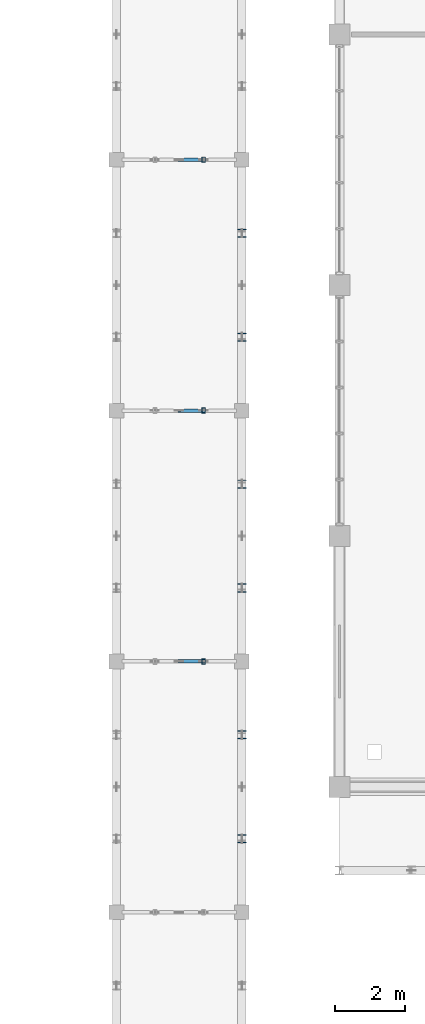
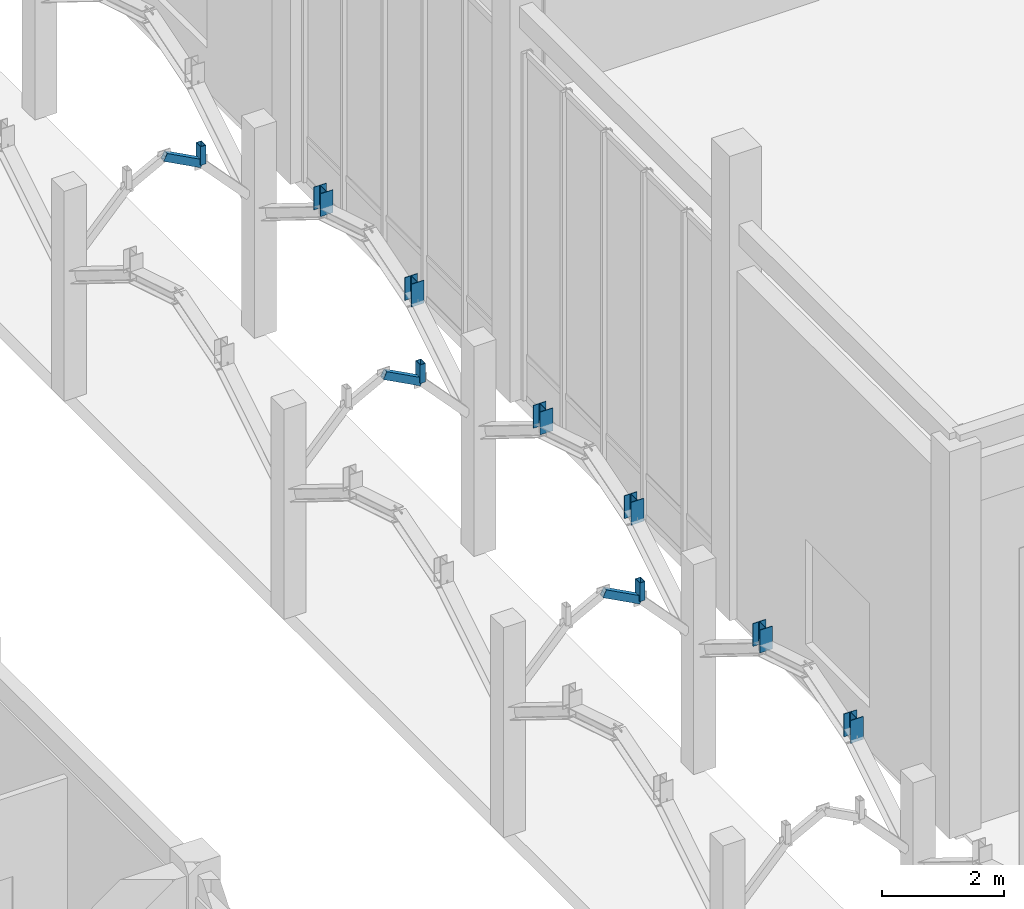
# One storey, part 46 of 138: 12 members.
"""IFC4 building model written with IfcOpenShell, lengths in metres."""

from ifc_helpers import new_model, si_unit, direction, frame, origin, origin_2d, place, context, subcontext, project, spatial, hollow_rectangle, i_section, extrude, material, material_profile, profile_set, type_object, element, save


model = new_model("IFC4")

# Units and contexts
model_context = context("Model", 3, precision=1e-05, world=origin(), true_north=direction((0.0, 1.0)))
body_context = subcontext(model_context, "Body", "Model", "MODEL_VIEW")
ifc_project = project(units=[si_unit("LENGTHUNIT", "METRE"), si_unit("AREAUNIT", "SQUARE_METRE"), si_unit("VOLUMEUNIT", "CUBIC_METRE"), si_unit("PLANEANGLEUNIT", "RADIAN"), si_unit("MASSUNIT", "GRAM", prefix="KILO"), si_unit("THERMODYNAMICTEMPERATUREUNIT", "KELVIN"), si_unit("POWERUNIT", "WATT")], contexts=[model_context])

# Site, building, storey
site_placement = place(None, origin())
site = spatial("IfcSite", under=ifc_project, at=site_placement, CompositionType="ELEMENT")
building_placement = place(site_placement, origin())
building = spatial("IfcBuilding", under=site, at=building_placement, Name="Tavuni Mirador Residences", CompositionType="ELEMENT")
storey_placement = place(building_placement, origin())
storey = spatial("IfcBuildingStorey", under=building, at=storey_placement, Name="L00", CompositionType="ELEMENT", Elevation=0.0)

# Members
ifc_material = material(Name="Structural steel S355", Category="steel")
ifc_material_profile_1 = material_profile(ifc_material, hollow_rectangle(XDim=0.10009765625, YDim=0.14990234375, WallThickness=0.008056640625, at=origin_2d()), Name="RHS 150x100x8.0", Category="steel")
ifc_profile_set_1 = profile_set([ifc_material_profile_1], Name="Structural steel S355")
member_type_1 = type_object("IfcMemberType", Name="MT-BR-RHS150", PredefinedType="BRACE", material=ifc_profile_set_1)
member_1_placement = place(storey_placement, frame((35.0, 75.60009765625, 4.080078125), z_axis=(0.882676699417, 0.0, -0.469980685035), x_axis=(0.0, 1.0, 0.0)))
element("IfcMember", 1, at=member_1_placement, inside=storey, type_object=member_type_1, Name="ARCH-COLO-T-03-S2", PredefinedType="BRACE", context=body_context, shape_type="SweptSolid", body=[
    extrude(hollow_rectangle(XDim=0.10009765625, YDim=0.14990234375, WallThickness=0.008056640625, at=origin_2d()), origin(), (0.0, 0.0, 1.0), 0.792724609375),
])
member_2_placement = place(storey_placement, frame((35.69970703125, 75.60009765625, 3.70751953125), z_axis=(0.0, 0.0, 1.0), x_axis=(1.0, 0.0, 0.0)))
element("IfcMember", 2, at=member_2_placement, inside=storey, type_object=member_type_1, Name="ARCH-COLO-T-03-V2", PredefinedType="BRACE", context=body_context, shape_type="SweptSolid", body=[
    extrude(hollow_rectangle(XDim=0.10009765625, YDim=0.14990234375, WallThickness=0.008056640625, at=origin_2d()), origin(), (0.0, 0.0, 1.0), 0.37255859375),
])
member_3_placement = place(storey_placement, frame((35.0, 82.800048828125, 4.080078125), z_axis=(0.882676699417, 0.0, -0.469980685035), x_axis=(0.0, 1.0, 0.0)))
element("IfcMember", 3, at=member_3_placement, inside=storey, type_object=member_type_1, Name="ARCH-COLO-T-04-S2", PredefinedType="BRACE", context=body_context, shape_type="SweptSolid", body=[
    extrude(hollow_rectangle(XDim=0.10009765625, YDim=0.14990234375, WallThickness=0.008056640625, at=origin_2d()), origin(), (0.0, 0.0, 1.0), 0.792724609375),
])
member_4_placement = place(storey_placement, frame((35.69970703125, 82.800048828125, 3.70751953125), z_axis=(0.0, 0.0, 1.0), x_axis=(1.0, 0.0, 0.0)))
element("IfcMember", 4, at=member_4_placement, inside=storey, type_object=member_type_1, Name="ARCH-COLO-T-04-V2", PredefinedType="BRACE", context=body_context, shape_type="SweptSolid", body=[
    extrude(hollow_rectangle(XDim=0.10009765625, YDim=0.14990234375, WallThickness=0.008056640625, at=origin_2d()), origin(), (0.0, 0.0, 1.0), 0.37255859375),
])
member_5_placement = place(storey_placement, frame((35.0, 90.0, 4.080078125), z_axis=(0.882676699417, 0.0, -0.469980685035), x_axis=(0.0, 1.0, 0.0)))
element("IfcMember", 5, at=member_5_placement, inside=storey, type_object=member_type_1, Name="ARCH-COLO-T-05-S2", PredefinedType="BRACE", context=body_context, shape_type="SweptSolid", body=[
    extrude(hollow_rectangle(XDim=0.10009765625, YDim=0.14990234375, WallThickness=0.008056640625, at=origin_2d()), origin(), (0.0, 0.0, 1.0), 0.792724609375),
])
member_6_placement = place(storey_placement, frame((35.69970703125, 90.0, 3.70751953125), z_axis=(0.0, 0.0, 1.0), x_axis=(1.0, 0.0, 0.0)))
element("IfcMember", 6, at=member_6_placement, inside=storey, type_object=member_type_1, Name="ARCH-COLO-T-05-V2", PredefinedType="BRACE", context=body_context, shape_type="SweptSolid", body=[
    extrude(hollow_rectangle(XDim=0.10009765625, YDim=0.14990234375, WallThickness=0.008056640625, at=origin_2d()), origin(), (0.0, 0.0, 1.0), 0.37255859375),
])
ifc_material_profile_2 = material_profile(ifc_material, i_section(OverallWidth=0.239990234375, OverallDepth=0.22998046875, WebThickness=0.007568359375, FlangeThickness=0.011962890625, FilletRadius=0.02099609375, at=origin_2d()), Name="HEA 240", Category="steel")
ifc_profile_set_2 = profile_set([ifc_material_profile_2], Name="Structural steel S355")
member_type_2 = type_object("IfcMemberType", Name="MT-CH-HEA240", PredefinedType="CHORD", material=ifc_profile_set_2)
for number, where, z_axis, x_axis, name in (
    (7, (36.800048828125, 70.50830078125, 3.62353515625), (0.0, 0.0, 1.0), (1.0, 0.0, 0.0), "ARCH-COLO-E-02-V1"),
    (8, (36.800048828125, 73.49169921875, 3.62353515625), (0.0, 0.0, 1.0), (1.0, 0.0, 0.0), "ARCH-COLO-E-02-V2"),
    (9, (36.800048828125, 77.70849609375, 3.62353515625), (0.0, 0.0, 1.0), (1.0, 0.0, 0.0), "ARCH-COLO-E-03-V1"),
    (10, (36.800048828125, 80.691650390625, 3.62353515625), (0.0, 0.0, 1.0), (1.0, 0.0, 0.0), "ARCH-COLO-E-03-V2"),
    (11, (36.800048828125, 84.908447265625, 3.62353515625), (0.0, 0.0, 1.0), (1.0, 0.0, 0.0), "ARCH-COLO-E-04-V1"),
    (12, (36.800048828125, 87.8916015625, 3.62353515625), (0.0, 0.0, 1.0), (1.0, 0.0, 0.0), "ARCH-COLO-E-04-V2"),
):
    element("IfcMember", number, at=place(storey_placement, frame(where, z_axis=z_axis, x_axis=x_axis)), inside=storey, type_object=member_type_2, Name=name, PredefinedType="CHORD", context=body_context, shape_type="SweptSolid", body=[
        extrude(i_section(OverallWidth=0.239990234375, OverallDepth=0.22998046875, WebThickness=0.007568359375, FlangeThickness=0.011962890625, FilletRadius=0.02099609375, at=origin_2d()), origin(), (0.0, 0.0, 1.0), 0.45654296875),
    ])

save(model, "model.ifc")
